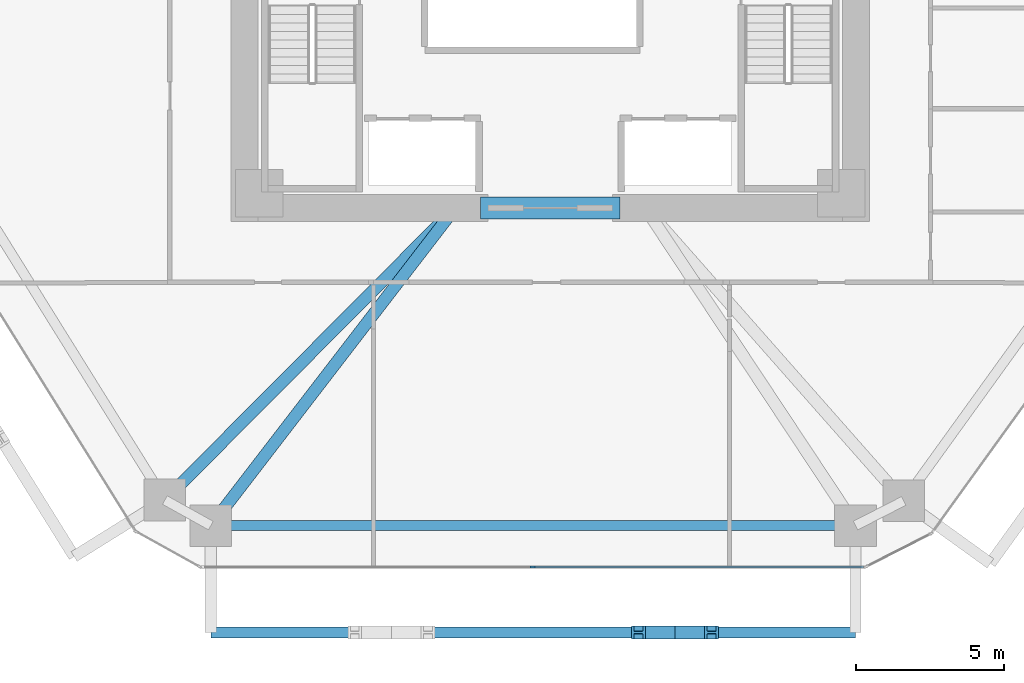
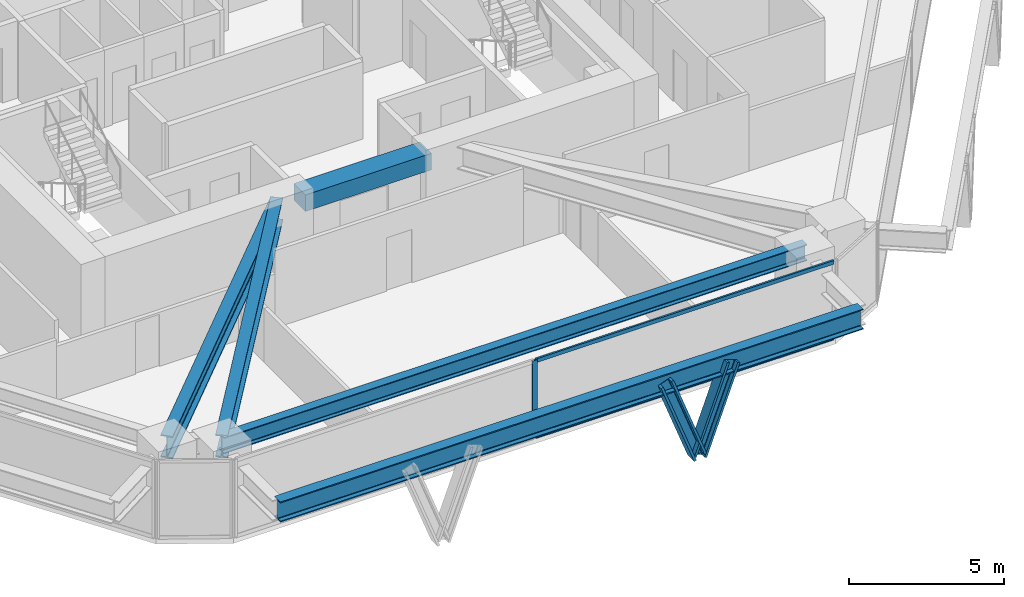
# One storey, part 3 of 14: 5 beams, 5 members, 1 element without a shape of its own.
"""IFC4 building model written with IfcOpenShell, lengths in metres."""

from ifc_helpers import new_model, si_unit, direction, frame, origin, origin_2d, place, context, subcontext, project, spatial, rectangle, i_section, extrude, source, transform, mapped, material, layer, layer_set, material_profile, profile_set, type_object, type_shapes, element, aggregate, save


model = new_model("IFC4")

# Units and contexts
model_context = context("Model", 3, precision=1e-05, world=origin(), true_north=direction((0.0, 1.0)))
body_context = subcontext(model_context, "Body", "Model", "MODEL_VIEW")
ifc_project = project(units=[si_unit("LENGTHUNIT", "METRE"), si_unit("AREAUNIT", "SQUARE_METRE"), si_unit("VOLUMEUNIT", "CUBIC_METRE"), si_unit("PLANEANGLEUNIT", "RADIAN"), si_unit("MASSUNIT", "GRAM", prefix="KILO")], contexts=[model_context])

# Site, building, storey
site_placement = place(None, origin())
site = spatial("IfcSite", under=ifc_project, at=site_placement, CompositionType="ELEMENT")
building_placement = place(site_placement, origin())
building = spatial("IfcBuilding", under=site, at=building_placement, Name="Durnholm Broadcast Tower", CompositionType="ELEMENT")
storey_placement = place(building_placement, frame((0.0, 0.0, 68.699951171875)))
storey = spatial("IfcBuildingStorey", under=building, at=storey_placement, Name="L17", CompositionType="ELEMENT", Elevation=68.699951171875)

# Beams
ifc_material_1 = material(Name="Concrete C70/85", Category="concrete")
ifc_material_profile_1 = material_profile(ifc_material_1, rectangle(XDim=0.75, YDim=0.64990234375, at=origin_2d()), Name="RC750X650")
ifc_profile_set_1 = profile_set([ifc_material_profile_1], Name="Concrete C70/85")
beam_type_1 = type_object("IfcBeamType", Name="BM-CB-RC650", PredefinedType="LINTEL", material=ifc_profile_set_1)
shared_shape_1 = source(origin(), body_context, "Body", "SweptSolid", [
    extrude(rectangle(XDim=0.75, YDim=0.64990234375, at=origin_2d()), origin(), (0.0, 0.0, 1.0), 4.7001953125),
])
type_shapes(beam_type_1, [shared_shape_1])
beam_1_placement = place(storey_placement, frame((-2.35009765625, -8.300048828125, 2.72998046875), z_axis=(1.0, 0.0, 0.0), x_axis=(0.0, 1.0, 0.0)))
element("IfcBeam", 1, at=beam_1_placement, inside=storey, type_object=beam_type_1, Name="L17 south core coupling lintel beam CB-S", PredefinedType="LINTEL", context=body_context, shape_type="MappedRepresentation", body=[
    mapped(shared_shape_1, transform((0.0, 0.0, 0.0), x_axis=(1.0, 0.0, 0.0), y_axis=(0.0, 1.0, 0.0), z_axis=(0.0, 0.0, 1.0), scale=1.0)),
])
ifc_material_2 = material(Name="Steel ASTM A992 Grade 50", Category="steel")
ifc_material_profile_2 = material_profile(ifc_material_2, i_section(OverallWidth=0.3291015625, OverallDepth=0.635009765625, WebThickness=0.017822265625, FlangeThickness=0.031005859375, FilletRadius=0.02783203125, at=origin_2d()), Name="W24X162")
ifc_profile_set_2 = profile_set([ifc_material_profile_2], Name="Steel ASTM A992 Grade 50")
beam_type_2 = type_object("IfcBeamType", Name="STL-SP-W24X162", PredefinedType="SPANDREL", material=ifc_profile_set_2)
shared_shape_2 = source(origin(), body_context, "Body", "SweptSolid", [
    extrude(i_section(OverallWidth=0.3291015625, OverallDepth=0.635009765625, WebThickness=0.017822265625, FlangeThickness=0.031005859375, FilletRadius=0.02783203125, at=origin_2d()), origin(), (0.0, 0.0, 1.0), 21.7138671875),
])
type_shapes(beam_type_2, [shared_shape_2])
beam_2_placement = place(storey_placement, frame((10.28271484375, -19.0, 2.7275390625), z_axis=(-1.0, 0.0, 0.0), x_axis=(0.0, -1.0, 0.0)))
element("IfcBeam", 2, at=beam_2_placement, inside=storey, type_object=beam_type_2, Name="L17 perimeter spandrel girder 11", PredefinedType="SPANDREL", context=body_context, shape_type="MappedRepresentation", body=[
    mapped(shared_shape_2, transform((0.0, 0.0, 0.0), x_axis=(1.0, 0.0, 0.0), y_axis=(0.0, 1.0, 0.0), z_axis=(0.0, 0.0, 1.0), scale=1.0)),
])
ifc_material_profile_3 = material_profile(ifc_material_2, i_section(OverallWidth=0.404052734375, OverallDepth=0.885009765625, WebThickness=0.0244140625, FlangeThickness=0.0439453125, FilletRadius=0.03564453125, at=origin_2d()), Name="W33X291")
ifc_profile_set_3 = profile_set([ifc_material_profile_3], Name="Steel ASTM A992 Grade 50")
beam_type_3 = type_object("IfcBeamType", Name="STL-GR-W33X291", PredefinedType="USERDEFINED", material=ifc_profile_set_3)
shared_shape_3 = source(origin(), body_context, "Body", "SweptSolid", [
    extrude(i_section(OverallWidth=0.404052734375, OverallDepth=0.885009765625, WebThickness=0.0244140625, FlangeThickness=0.0439453125, FilletRadius=0.03564453125, at=origin_2d()), origin(), (0.0, 0.0, 1.0), 13.874267578125),
])
beam_3_placement = place(storey_placement, frame((-3.199951171875, -8.300048828125, 2.6025390625), z_axis=(-0.705097917174, -0.709109954237, 0.0), x_axis=(0.709109954237, -0.705097917174, 0.0)))
element("IfcBeam", 3, at=beam_3_placement, inside=storey, type_object=beam_type_3, Name="L17 radial primary floor girder 01", ObjectType="GIRDER", PredefinedType="USERDEFINED", context=body_context, shape_type="MappedRepresentation", body=[
    mapped(shared_shape_3, transform((0.0, 0.0, 0.0), x_axis=(1.0, 0.0, 0.0), y_axis=(0.0, 1.0, 0.0), z_axis=(0.0, 0.0, 1.0), scale=1.0)),
])
shared_shape_4 = source(origin(), body_context, "Body", "SweptSolid", [
    extrude(i_section(OverallWidth=0.404052734375, OverallDepth=0.885009765625, WebThickness=0.0244140625, FlangeThickness=0.0439453125, FilletRadius=0.03564453125, at=origin_2d()), origin(), (0.0, 0.0, 1.0), 13.499755859375),
])
type_shapes(beam_type_3, [shared_shape_3, shared_shape_4])
beam_4_placement = place(storey_placement, frame((-3.199951171875, -8.300048828125, 2.6025390625), z_axis=(-0.609732610412, -0.79260718127, 0.0), x_axis=(0.79260718127, -0.609732610412, 0.0)))
element("IfcBeam", 4, at=beam_4_placement, inside=storey, type_object=beam_type_3, Name="L17 radial primary floor girder 12", ObjectType="GIRDER", PredefinedType="USERDEFINED", context=body_context, shape_type="MappedRepresentation", body=[
    mapped(shared_shape_4, transform((0.0, 0.0, 0.0), x_axis=(1.0, 0.0, 0.0), y_axis=(0.0, 1.0, 0.0), z_axis=(0.0, 0.0, 1.0), scale=1.0)),
])
ifc_material_profile_4 = material_profile(ifc_material_2, i_section(OverallWidth=0.385009765625, OverallDepth=0.802978515625, WebThickness=0.023681640625, FlangeThickness=0.0419921875, FilletRadius=0.032958984375, at=origin_2d()), Name="W30X261")
ifc_profile_set_4 = profile_set([ifc_material_profile_4], Name="Steel ASTM A992 Grade 50")
beam_type_4 = type_object("IfcBeamType", Name="BM-EXO-TIE", PredefinedType="USERDEFINED", material=ifc_profile_set_4)
shared_shape_5 = source(origin(), body_context, "Body", "SweptSolid", [
    extrude(i_section(OverallWidth=0.385009765625, OverallDepth=0.802978515625, WebThickness=0.023681640625, FlangeThickness=0.0419921875, FilletRadius=0.032958984375, at=origin_2d()), origin(), (0.0, 0.0, 1.0), 21.7138671875),
])
type_shapes(beam_type_4, [shared_shape_5])
beam_5_placement = place(storey_placement, frame((-11.43115234375, -22.60009765625, 2.30859375), z_axis=(1.0, 0.0, 0.0), x_axis=(0.0, 1.0, 0.0)))
element("IfcBeam", 5, at=beam_5_placement, inside=storey, type_object=beam_type_4, Name="L17 exoskeleton collector spandrel F1", PredefinedType="SPANDREL", context=body_context, shape_type="MappedRepresentation", body=[
    mapped(shared_shape_5, transform((0.0, 0.0, 0.0), x_axis=(1.0, 0.0, 0.0), y_axis=(0.0, 1.0, 0.0), z_axis=(0.0, 0.0, 1.0), scale=1.0)),
])

# Members
ifc_material_3 = material(Name="Steel ASTM A913 Grade 65", Category="steel")
ifc_material_profile_5 = material_profile(ifc_material_3, i_section(OverallWidth=0.43212890625, OverallDepth=0.497802734375, WebThickness=0.0556640625, FlangeThickness=0.0888671875, FilletRadius=0.030517578125, at=origin_2d()), Name="W14X500")
ifc_profile_set_5 = profile_set([ifc_material_profile_5], Name="Steel ASTM A913 Grade 65")
member_type_1 = type_object("IfcMemberType", Name="STL-DG-W14X500", PredefinedType="BRACE", material=ifc_profile_set_5)
shared_shape_6 = source(origin(), body_context, "Body", "SweptSolid", [
    extrude(i_section(OverallWidth=0.43212890625, OverallDepth=0.497802734375, WebThickness=0.0556640625, FlangeThickness=0.0888671875, FilletRadius=0.030517578125, at=origin_2d()), origin(), (0.0, 0.0, 1.0), 3.523193359375),
])
type_shapes(member_type_1, [shared_shape_6])
for number, where, z_axis, x_axis, name in (
    (6, (4.202880859375, -22.60009765625, -0.991455078125), (-0.350219588454, 0.0, 0.936667625075), (0.0, -1.0, 0.0), "L17 stand-off diagrid brace F1.D2.1"),
    (7, (4.202880859375, -22.60009765625, -0.991455078125), (0.350219588454, 0.0, 0.936667625075), (0.0, 1.0, 0.0), "L17 stand-off diagrid brace F1.D2.2"),
):
    element("IfcMember", number, at=place(storey_placement, frame(where, z_axis=z_axis, x_axis=x_axis)), inside=storey, type_object=member_type_1, Name=name, PredefinedType="BRACE", context=body_context, shape_type="MappedRepresentation", body=[
        mapped(shared_shape_6, transform((0.0, 0.0, 0.0), x_axis=(1.0, 0.0, 0.0), y_axis=(0.0, 1.0, 0.0), z_axis=(0.0, 0.0, 1.0), scale=1.0)),
    ])

# Curtain wall, members
ifc_material_4 = material(Name="Aluminium and Solar Control IGU", Category="aluminium")
ifc_layer = layer(ifc_material_4, 0.18994140625)
ifc_layer_set = layer_set([ifc_layer], Name="Aluminium and Solar Control IGU")
curtain_wall_type = type_object("IfcCurtainWallType", Name="CW-SYS-3", PredefinedType="NOTDEFINED", material=ifc_layer_set)
curtain_wall_placement = place(storey_placement, origin())
curtain_wall = element("IfcCurtainWall", 8, at=curtain_wall_placement, inside=storey, type_object=curtain_wall_type, Name="L17 curtain wall CW-Z12-VIS CW-L17-F10", PredefinedType="NOTDEFINED")
ifc_material_5 = material(Name="Aluminium 6063-T6", Category="aluminium")
ifc_material_profile_6 = material_profile(ifc_material_5, rectangle(XDim=0.070068359375, YDim=0.18994140625, at=origin_2d()), Name="CWM70X190")
ifc_profile_set_6 = profile_set([ifc_material_profile_6], Name="Aluminium 6063-T6")
member_type_2 = type_object("IfcMemberType", Name="CW-SYS-3-MUL", PredefinedType="MULLION", material=ifc_profile_set_6)
shared_shape_7 = source(origin(), body_context, "Body", "SweptSolid", [
    extrude(rectangle(XDim=0.070068359375, YDim=0.18994140625, at=origin_2d()), origin(), (0.0, 0.0, 1.0), 3.06005859375),
])
type_shapes(member_type_2, [shared_shape_7])
member_1_placement = place(storey_placement, frame((-0.5869140625, -20.39990234375, 0.0), z_axis=(0.0, 0.0, 1.0), x_axis=(0.0, -1.0, 0.0)))
member_1 = element("IfcMember", 9, at=member_1_placement, type_object=member_type_2, Name="CW-Z12-VIS mullion 2", PredefinedType="MULLION", context=body_context, shape_type="MappedRepresentation", body=[
    mapped(shared_shape_7, transform((0.0, 0.0, 0.0), x_axis=(1.0, 0.0, 0.0), y_axis=(0.0, 1.0, 0.0), z_axis=(0.0, 0.0, 1.0), scale=1.0)),
])
ifc_material_profile_7 = material_profile(ifc_material_5, rectangle(XDim=0.070068359375, YDim=0.14990234375, at=origin_2d()), Name="CWT70X150")
ifc_profile_set_7 = profile_set([ifc_material_profile_7], Name="Aluminium 6063-T6")
member_type_3 = type_object("IfcMemberType", Name="CW-SYS-3-TRN", PredefinedType="USERDEFINED", material=ifc_profile_set_7)
shared_shape_8 = source(origin(), body_context, "Body", "SweptSolid", [
    extrude(rectangle(XDim=0.070068359375, YDim=0.14990234375, at=origin_2d()), origin(), (0.0, 0.0, 1.0), 11.10205078125),
])
type_shapes(member_type_3, [shared_shape_8])
member_2_placement = place(storey_placement, frame((10.55029296875, -20.39990234375, 0.03515625), z_axis=(-1.0, 0.0, 0.0), x_axis=(0.0, -1.0, 0.0)))
member_2 = element("IfcMember", 10, at=member_2_placement, type_object=member_type_3, Name="CW-Z12-VIS transom 1.1", ObjectType="TRANSOM", PredefinedType="USERDEFINED", context=body_context, shape_type="MappedRepresentation", body=[
    mapped(shared_shape_8, transform((0.0, 0.0, 0.0), x_axis=(1.0, 0.0, 0.0), y_axis=(0.0, 1.0, 0.0), z_axis=(0.0, 0.0, 1.0), scale=1.0)),
])
member_3_placement = place(storey_placement, frame((10.55029296875, -20.39990234375, 3.025146484375), z_axis=(-1.0, 0.0, 0.0), x_axis=(0.0, -1.0, 0.0)))
member_3 = element("IfcMember", 11, at=member_3_placement, type_object=member_type_3, Name="CW-Z12-VIS transom 1.2", ObjectType="TRANSOM", PredefinedType="USERDEFINED", context=body_context, shape_type="MappedRepresentation", body=[
    mapped(shared_shape_8, transform((0.0, 0.0, 0.0), x_axis=(1.0, 0.0, 0.0), y_axis=(0.0, 1.0, 0.0), z_axis=(0.0, 0.0, 1.0), scale=1.0)),
])
aggregate(curtain_wall, [member_1, member_2, member_3])

save(model, "model.ifc")
